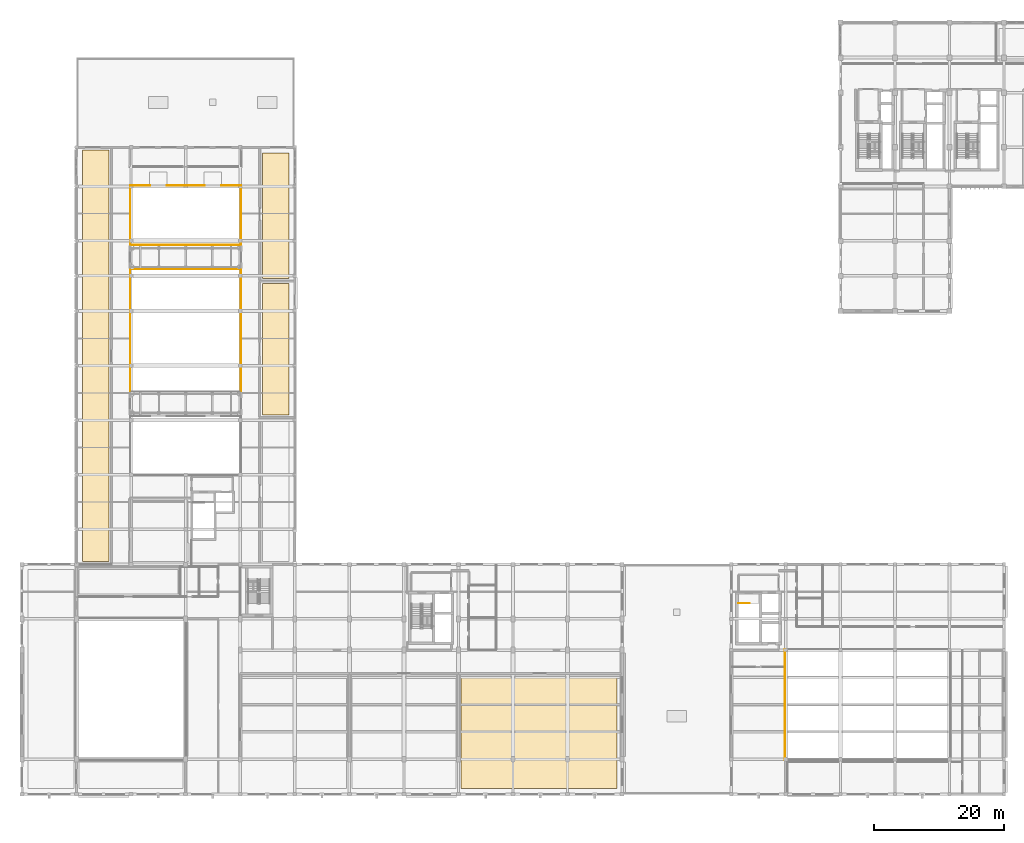
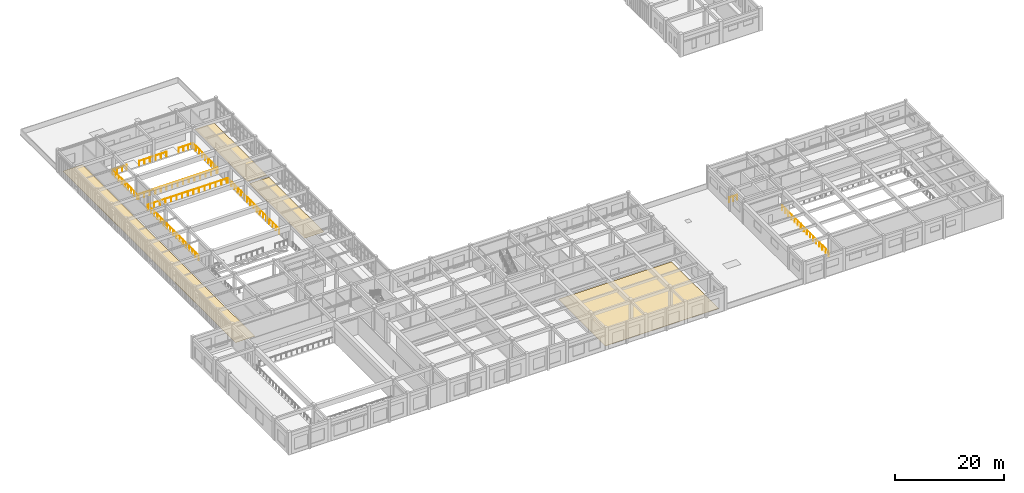
# One storey, part 74 of 77: 11 railings, 4 coverings.
"""IFC4 building model written with IfcOpenShell, lengths in metres."""

from ifc_helpers import new_model, si_unit, direction, frame, origin, origin_2d, place, context, subcontext, project, spatial, polyline, circle, outline, extrude, material, layer, layer_set, type_object, element, save


model = new_model("IFC4")

# Units and contexts
model_context = context("Model", 3, precision=1e-05, world=origin(), true_north=direction((0.0, 1.0)))
body_context = subcontext(model_context, "Body", "Model", "MODEL_VIEW")
ifc_project = project(units=[si_unit("LENGTHUNIT", "METRE"), si_unit("AREAUNIT", "SQUARE_METRE"), si_unit("VOLUMEUNIT", "CUBIC_METRE"), si_unit("PLANEANGLEUNIT", "RADIAN"), si_unit("MASSUNIT", "GRAM", prefix="KILO")], contexts=[model_context])

# Site, building, storey
site_placement = place(None, origin())
site = spatial("IfcSite", under=ifc_project, at=site_placement, CompositionType="ELEMENT")
building_placement = place(site_placement, origin())
building = spatial("IfcBuilding", under=site, at=building_placement, Name="Krzemoval Escarpment Law Courts", CompositionType="ELEMENT")
storey_placement = place(building_placement, frame((0.0, 0.0, 15.300048828125)))
storey = spatial("IfcBuildingStorey", under=building, at=storey_placement, Name="L03", CompositionType="ELEMENT", Elevation=15.300048828125)

# Coverings
ifc_material_1 = material(Name="Honed Silesian Granite Stone Flooring", Category="masonry")
ifc_layer = layer(ifc_material_1, 0.030029296875)
ifc_layer_set = layer_set([ifc_layer], Name="Honed Silesian Granite Stone Flooring")
covering_type = type_object("IfcCoveringType", Name="COV-FLR-STN30", PredefinedType="FLOORING", material=ifc_layer_set)
covering_1_placement = place(storey_placement, origin())
element("IfcCovering", 1, at=covering_1_placement, inside=storey, type_object=covering_type, Name="Stone Floor Finish FLR-L03-36", PredefinedType="FLOORING", context=body_context, shape_type="SweptSolid", body=[
    extrude(outline(polyline([(67.60009765625, 0.89990234375), (67.60009765625, 18.199951171875), (91.60009765625, 18.199951171875), (91.60009765625, 0.89990234375), (67.60009765625, 0.89990234375)])), origin(), (0.0, 0.0, 1.0), 0.030029296875),
])
covering_2_placement = place(storey_placement, origin())
element("IfcCovering", 2, at=covering_2_placement, inside=storey, type_object=covering_type, Name="Stone Floor Finish FLR-L03-37", PredefinedType="FLOORING", context=body_context, shape_type="SweptSolid", body=[
    extrude(outline(polyline([(9.300048828125, 35.800048828125), (9.300048828125, 99.199951171875), (13.39990234375, 99.199951171875), (13.39990234375, 35.800048828125), (9.300048828125, 35.800048828125)])), origin(), (0.0, 0.0, 1.0), 0.030029296875),
])
covering_3_placement = place(storey_placement, origin())
element("IfcCovering", 3, at=covering_3_placement, inside=storey, type_object=covering_type, Name="Stone Floor Finish FLR-L03-40", PredefinedType="FLOORING", context=body_context, shape_type="SweptSolid", body=[
    extrude(outline(polyline([(37.0, 58.39990234375), (37.0, 78.60009765625), (41.10009765625, 78.60009765625), (41.10009765625, 58.39990234375), (37.0, 58.39990234375)])), origin(), (0.0, 0.0, 1.0), 0.030029296875),
])
covering_4_placement = place(storey_placement, origin())
element("IfcCovering", 4, at=covering_4_placement, inside=storey, type_object=covering_type, Name="Stone Floor Finish FLR-L03-41", PredefinedType="FLOORING", context=body_context, shape_type="SweptSolid", body=[
    extrude(outline(polyline([(37.0, 79.39990234375), (37.0, 98.699951171875), (41.10009765625, 98.699951171875), (41.10009765625, 79.39990234375), (37.0, 79.39990234375)])), origin(), (0.0, 0.0, 1.0), 0.030029296875),
])

# Railings
ifc_material_2 = material(Name="Stainless Steel Grade 316L and Laminated Safety Glass Guard", Category="steel")
railing_type_1 = type_object("IfcRailingType", Name="RL-BAL-1100", PredefinedType="BALUSTRADE", material=ifc_material_2)
railing_1_placement = place(storey_placement, frame((16.679931640625, 93.719970703125, 0.0)))
element("IfcRailing", 5, at=railing_1_placement, inside=storey, type_object=railing_type_1, Name="Atrium Void Balustrade VG-L03-081", PredefinedType="BALUSTRADE", context=body_context, shape_type="SweptSolid", body=[
    extrude(circle(Radius=0.02392578125, at=origin_2d()), frame((0.0, 0.0, 1.076171875), z_axis=(1.0, 0.0, 0.0), x_axis=(0.0, 1.0, 0.0)), (0.0, 0.0, 1.0), 3.02001953125),
    extrude(circle(Radius=0.02099609375, at=origin_2d()), origin(), (0.0, 0.0, 1.0), 1.052001953125),
    extrude(circle(Radius=0.02099609375, at=origin_2d()), frame((1.006591796875, 0.0, 0.0)), (0.0, 0.0, 1.0), 1.052001953125),
    extrude(circle(Radius=0.02099609375, at=origin_2d()), frame((2.013427734375, 0.0, 0.0)), (0.0, 0.0, 1.0), 1.052001953125),
    extrude(circle(Radius=0.02099609375, at=origin_2d()), frame((3.02001953125, 0.0, 0.0)), (0.0, 0.0, 1.0), 1.052001953125),
])
railing_2_placement = place(storey_placement, frame((22.300048828125, 93.719970703125, 0.0)))
element("IfcRailing", 6, at=railing_2_placement, inside=storey, type_object=railing_type_1, Name="Atrium Void Balustrade VG-L03-082", PredefinedType="BALUSTRADE", context=body_context, shape_type="SweptSolid", body=[
    extrude(circle(Radius=0.02392578125, at=origin_2d()), frame((0.0, 0.0, 1.076171875), z_axis=(1.0, 0.0, 0.0), x_axis=(0.0, 1.0, 0.0)), (0.0, 0.0, 1.0), 5.800048828125),
    extrude(circle(Radius=0.02099609375, at=origin_2d()), origin(), (0.0, 0.0, 1.0), 1.052001953125),
    extrude(circle(Radius=0.02099609375, at=origin_2d()), frame((1.159912109375, 0.0, 0.0)), (0.0, 0.0, 1.0), 1.052001953125),
    extrude(circle(Radius=0.02099609375, at=origin_2d()), frame((2.320068359375, 0.0, 0.0)), (0.0, 0.0, 1.0), 1.052001953125),
    extrude(circle(Radius=0.02099609375, at=origin_2d()), frame((3.47998046875, 0.0, 0.0)), (0.0, 0.0, 1.0), 1.052001953125),
    extrude(circle(Radius=0.02099609375, at=origin_2d()), frame((4.64013671875, 0.0, 0.0)), (0.0, 0.0, 1.0), 1.052001953125),
    extrude(circle(Radius=0.02099609375, at=origin_2d()), frame((5.800048828125, 0.0, 0.0)), (0.0, 0.0, 1.0), 1.052001953125),
])
railing_3_placement = place(storey_placement, frame((30.699951171875, 93.719970703125, 0.0)))
element("IfcRailing", 7, at=railing_3_placement, inside=storey, type_object=railing_type_1, Name="Atrium Void Balustrade VG-L03-083", PredefinedType="BALUSTRADE", context=body_context, shape_type="SweptSolid", body=[
    extrude(circle(Radius=0.02392578125, at=origin_2d()), frame((0.0, 0.0, 1.076171875), z_axis=(1.0, 0.0, 0.0), x_axis=(0.0, 1.0, 0.0)), (0.0, 0.0, 1.0), 3.02001953125),
    extrude(circle(Radius=0.02099609375, at=origin_2d()), origin(), (0.0, 0.0, 1.0), 1.052001953125),
    extrude(circle(Radius=0.02099609375, at=origin_2d()), frame((1.006591796875, 0.0, 0.0)), (0.0, 0.0, 1.0), 1.052001953125),
    extrude(circle(Radius=0.02099609375, at=origin_2d()), frame((2.013427734375, 0.0, 0.0)), (0.0, 0.0, 1.0), 1.052001953125),
    extrude(circle(Radius=0.02099609375, at=origin_2d()), frame((3.02001953125, 0.0, 0.0)), (0.0, 0.0, 1.0), 1.052001953125),
])
railing_4_placement = place(storey_placement, frame((16.679931640625, 62.080078125, 0.0)))
element("IfcRailing", 8, at=railing_4_placement, inside=storey, type_object=railing_type_1, Name="Atrium Void Balustrade VG-L03-085", PredefinedType="BALUSTRADE", context=body_context, shape_type="SweptSolid", body=[
    extrude(circle(Radius=0.02392578125, at=origin_2d()), frame((0.0, 0.0, 1.076171875), z_axis=(0.0, 1.0, 0.0), x_axis=(-1.0, 0.0, 0.0)), (0.0, 0.0, 1.0), 18.639892578125),
    extrude(circle(Radius=0.02099609375, at=origin_2d()), origin(), (0.0, 0.0, 1.0), 1.052001953125),
    extrude(circle(Radius=0.02099609375, at=origin_2d()), frame((0.0, 1.1650390625, 0.0)), (0.0, 0.0, 1.0), 1.052001953125),
    extrude(circle(Radius=0.02099609375, at=origin_2d()), frame((0.0, 2.330078125, 0.0)), (0.0, 0.0, 1.0), 1.052001953125),
    extrude(circle(Radius=0.02099609375, at=origin_2d()), frame((0.0, 3.494873046875, 0.0)), (0.0, 0.0, 1.0), 1.052001953125),
    extrude(circle(Radius=0.02099609375, at=origin_2d()), frame((0.0, 4.659912109375, 0.0)), (0.0, 0.0, 1.0), 1.052001953125),
    extrude(circle(Radius=0.02099609375, at=origin_2d()), frame((0.0, 5.824951171875, 0.0)), (0.0, 0.0, 1.0), 1.052001953125),
    extrude(circle(Radius=0.02099609375, at=origin_2d()), frame((0.0, 6.989990234375, 0.0)), (0.0, 0.0, 1.0), 1.052001953125),
    extrude(circle(Radius=0.02099609375, at=origin_2d()), frame((0.0, 8.155029296875, 0.0)), (0.0, 0.0, 1.0), 1.052001953125),
    extrude(circle(Radius=0.02099609375, at=origin_2d()), frame((0.0, 9.31982421875, 0.0)), (0.0, 0.0, 1.0), 1.052001953125),
    extrude(circle(Radius=0.02099609375, at=origin_2d()), frame((0.0, 10.48486328125, 0.0)), (0.0, 0.0, 1.0), 1.052001953125),
    extrude(circle(Radius=0.02099609375, at=origin_2d()), frame((0.0, 11.64990234375, 0.0)), (0.0, 0.0, 1.0), 1.052001953125),
    extrude(circle(Radius=0.02099609375, at=origin_2d()), frame((0.0, 12.81494140625, 0.0)), (0.0, 0.0, 1.0), 1.052001953125),
    extrude(circle(Radius=0.02099609375, at=origin_2d()), frame((0.0, 13.97998046875, 0.0)), (0.0, 0.0, 1.0), 1.052001953125),
    extrude(circle(Radius=0.02099609375, at=origin_2d()), frame((0.0, 15.14501953125, 0.0)), (0.0, 0.0, 1.0), 1.052001953125),
    extrude(circle(Radius=0.02099609375, at=origin_2d()), frame((0.0, 16.309814453125, 0.0)), (0.0, 0.0, 1.0), 1.052001953125),
    extrude(circle(Radius=0.02099609375, at=origin_2d()), frame((0.0, 17.474853515625, 0.0)), (0.0, 0.0, 1.0), 1.052001953125),
    extrude(circle(Radius=0.02099609375, at=origin_2d()), frame((0.0, 18.639892578125, 0.0)), (0.0, 0.0, 1.0), 1.052001953125),
])
railing_5_placement = place(storey_placement, frame((16.679931640625, 84.64990234375, 0.0)))
element("IfcRailing", 9, at=railing_5_placement, inside=storey, type_object=railing_type_1, Name="Atrium Void Balustrade VG-L03-086", PredefinedType="BALUSTRADE", context=body_context, shape_type="SweptSolid", body=[
    extrude(circle(Radius=0.02392578125, at=origin_2d()), frame((0.0, 0.0, 1.076171875), z_axis=(0.0, 1.0, 0.0), x_axis=(-1.0, 0.0, 0.0)), (0.0, 0.0, 1.0), 9.070068359375),
    extrude(circle(Radius=0.02099609375, at=origin_2d()), origin(), (0.0, 0.0, 1.0), 1.052001953125),
    extrude(circle(Radius=0.02099609375, at=origin_2d()), frame((0.0, 1.1337890625, 0.0)), (0.0, 0.0, 1.0), 1.052001953125),
    extrude(circle(Radius=0.02099609375, at=origin_2d()), frame((0.0, 2.267578125, 0.0)), (0.0, 0.0, 1.0), 1.052001953125),
    extrude(circle(Radius=0.02099609375, at=origin_2d()), frame((0.0, 3.4013671875, 0.0)), (0.0, 0.0, 1.0), 1.052001953125),
    extrude(circle(Radius=0.02099609375, at=origin_2d()), frame((0.0, 4.53515625, 0.0)), (0.0, 0.0, 1.0), 1.052001953125),
    extrude(circle(Radius=0.02099609375, at=origin_2d()), frame((0.0, 5.668701171875, 0.0)), (0.0, 0.0, 1.0), 1.052001953125),
    extrude(circle(Radius=0.02099609375, at=origin_2d()), frame((0.0, 6.802490234375, 0.0)), (0.0, 0.0, 1.0), 1.052001953125),
    extrude(circle(Radius=0.02099609375, at=origin_2d()), frame((0.0, 7.936279296875, 0.0)), (0.0, 0.0, 1.0), 1.052001953125),
    extrude(circle(Radius=0.02099609375, at=origin_2d()), frame((0.0, 9.070068359375, 0.0)), (0.0, 0.0, 1.0), 1.052001953125),
])
railing_6_placement = place(storey_placement, frame((33.719970703125, 62.080078125, 0.0)))
element("IfcRailing", 10, at=railing_6_placement, inside=storey, type_object=railing_type_1, Name="Atrium Void Balustrade VG-L03-088", PredefinedType="BALUSTRADE", context=body_context, shape_type="SweptSolid", body=[
    extrude(circle(Radius=0.02392578125, at=origin_2d()), frame((0.0, 0.0, 1.076171875), z_axis=(0.0, 1.0, 0.0), x_axis=(-1.0, 0.0, 0.0)), (0.0, 0.0, 1.0), 18.639892578125),
    extrude(circle(Radius=0.02099609375, at=origin_2d()), origin(), (0.0, 0.0, 1.0), 1.052001953125),
    extrude(circle(Radius=0.02099609375, at=origin_2d()), frame((0.0, 1.1650390625, 0.0)), (0.0, 0.0, 1.0), 1.052001953125),
    extrude(circle(Radius=0.02099609375, at=origin_2d()), frame((0.0, 2.330078125, 0.0)), (0.0, 0.0, 1.0), 1.052001953125),
    extrude(circle(Radius=0.02099609375, at=origin_2d()), frame((0.0, 3.494873046875, 0.0)), (0.0, 0.0, 1.0), 1.052001953125),
    extrude(circle(Radius=0.02099609375, at=origin_2d()), frame((0.0, 4.659912109375, 0.0)), (0.0, 0.0, 1.0), 1.052001953125),
    extrude(circle(Radius=0.02099609375, at=origin_2d()), frame((0.0, 5.824951171875, 0.0)), (0.0, 0.0, 1.0), 1.052001953125),
    extrude(circle(Radius=0.02099609375, at=origin_2d()), frame((0.0, 6.989990234375, 0.0)), (0.0, 0.0, 1.0), 1.052001953125),
    extrude(circle(Radius=0.02099609375, at=origin_2d()), frame((0.0, 8.155029296875, 0.0)), (0.0, 0.0, 1.0), 1.052001953125),
    extrude(circle(Radius=0.02099609375, at=origin_2d()), frame((0.0, 9.31982421875, 0.0)), (0.0, 0.0, 1.0), 1.052001953125),
    extrude(circle(Radius=0.02099609375, at=origin_2d()), frame((0.0, 10.48486328125, 0.0)), (0.0, 0.0, 1.0), 1.052001953125),
    extrude(circle(Radius=0.02099609375, at=origin_2d()), frame((0.0, 11.64990234375, 0.0)), (0.0, 0.0, 1.0), 1.052001953125),
    extrude(circle(Radius=0.02099609375, at=origin_2d()), frame((0.0, 12.81494140625, 0.0)), (0.0, 0.0, 1.0), 1.052001953125),
    extrude(circle(Radius=0.02099609375, at=origin_2d()), frame((0.0, 13.97998046875, 0.0)), (0.0, 0.0, 1.0), 1.052001953125),
    extrude(circle(Radius=0.02099609375, at=origin_2d()), frame((0.0, 15.14501953125, 0.0)), (0.0, 0.0, 1.0), 1.052001953125),
    extrude(circle(Radius=0.02099609375, at=origin_2d()), frame((0.0, 16.309814453125, 0.0)), (0.0, 0.0, 1.0), 1.052001953125),
    extrude(circle(Radius=0.02099609375, at=origin_2d()), frame((0.0, 17.474853515625, 0.0)), (0.0, 0.0, 1.0), 1.052001953125),
    extrude(circle(Radius=0.02099609375, at=origin_2d()), frame((0.0, 18.639892578125, 0.0)), (0.0, 0.0, 1.0), 1.052001953125),
])
railing_7_placement = place(storey_placement, frame((33.719970703125, 84.64990234375, 0.0)))
element("IfcRailing", 11, at=railing_7_placement, inside=storey, type_object=railing_type_1, Name="Atrium Void Balustrade VG-L03-089", PredefinedType="BALUSTRADE", context=body_context, shape_type="SweptSolid", body=[
    extrude(circle(Radius=0.02392578125, at=origin_2d()), frame((0.0, 0.0, 1.076171875), z_axis=(0.0, 1.0, 0.0), x_axis=(-1.0, 0.0, 0.0)), (0.0, 0.0, 1.0), 9.070068359375),
    extrude(circle(Radius=0.02099609375, at=origin_2d()), origin(), (0.0, 0.0, 1.0), 1.052001953125),
    extrude(circle(Radius=0.02099609375, at=origin_2d()), frame((0.0, 1.1337890625, 0.0)), (0.0, 0.0, 1.0), 1.052001953125),
    extrude(circle(Radius=0.02099609375, at=origin_2d()), frame((0.0, 2.267578125, 0.0)), (0.0, 0.0, 1.0), 1.052001953125),
    extrude(circle(Radius=0.02099609375, at=origin_2d()), frame((0.0, 3.4013671875, 0.0)), (0.0, 0.0, 1.0), 1.052001953125),
    extrude(circle(Radius=0.02099609375, at=origin_2d()), frame((0.0, 4.53515625, 0.0)), (0.0, 0.0, 1.0), 1.052001953125),
    extrude(circle(Radius=0.02099609375, at=origin_2d()), frame((0.0, 5.668701171875, 0.0)), (0.0, 0.0, 1.0), 1.052001953125),
    extrude(circle(Radius=0.02099609375, at=origin_2d()), frame((0.0, 6.802490234375, 0.0)), (0.0, 0.0, 1.0), 1.052001953125),
    extrude(circle(Radius=0.02099609375, at=origin_2d()), frame((0.0, 7.936279296875, 0.0)), (0.0, 0.0, 1.0), 1.052001953125),
    extrude(circle(Radius=0.02099609375, at=origin_2d()), frame((0.0, 9.070068359375, 0.0)), (0.0, 0.0, 1.0), 1.052001953125),
])
railing_8_placement = place(storey_placement, frame((117.47998046875, 22.320068359375, 0.0)))
element("IfcRailing", 12, at=railing_8_placement, inside=storey, type_object=railing_type_1, Name="Atrium Void Balustrade VG-L03-093", PredefinedType="BALUSTRADE", context=body_context, shape_type="SweptSolid", body=[
    extrude(circle(Radius=0.02392578125, at=origin_2d()), frame((0.0, 0.0, 1.076171875), z_axis=(0.0, -1.0, 0.0), x_axis=(1.0, 0.0, 0.0)), (0.0, 0.0, 1.0), 17.0400390625),
    extrude(circle(Radius=0.02099609375, at=origin_2d()), origin(), (0.0, 0.0, 1.0), 1.052001953125),
    extrude(circle(Radius=0.02099609375, at=origin_2d()), frame((0.0, -1.135986328125, 0.0)), (0.0, 0.0, 1.0), 1.052001953125),
    extrude(circle(Radius=0.02099609375, at=origin_2d()), frame((0.0, -2.27197265625, 0.0)), (0.0, 0.0, 1.0), 1.052001953125),
    extrude(circle(Radius=0.02099609375, at=origin_2d()), frame((0.0, -3.407958984375, 0.0)), (0.0, 0.0, 1.0), 1.052001953125),
    extrude(circle(Radius=0.02099609375, at=origin_2d()), frame((0.0, -4.5439453125, 0.0)), (0.0, 0.0, 1.0), 1.052001953125),
    extrude(circle(Radius=0.02099609375, at=origin_2d()), frame((0.0, -5.679931640625, 0.0)), (0.0, 0.0, 1.0), 1.052001953125),
    extrude(circle(Radius=0.02099609375, at=origin_2d()), frame((0.0, -6.81591796875, 0.0)), (0.0, 0.0, 1.0), 1.052001953125),
    extrude(circle(Radius=0.02099609375, at=origin_2d()), frame((0.0, -7.951904296875, 0.0)), (0.0, 0.0, 1.0), 1.052001953125),
    extrude(circle(Radius=0.02099609375, at=origin_2d()), frame((0.0, -9.088134765625, 0.0)), (0.0, 0.0, 1.0), 1.052001953125),
    extrude(circle(Radius=0.02099609375, at=origin_2d()), frame((0.0, -10.22412109375, 0.0)), (0.0, 0.0, 1.0), 1.052001953125),
    extrude(circle(Radius=0.02099609375, at=origin_2d()), frame((0.0, -11.360107421875, 0.0)), (0.0, 0.0, 1.0), 1.052001953125),
    extrude(circle(Radius=0.02099609375, at=origin_2d()), frame((0.0, -12.49609375, 0.0)), (0.0, 0.0, 1.0), 1.052001953125),
    extrude(circle(Radius=0.02099609375, at=origin_2d()), frame((0.0, -13.632080078125, 0.0)), (0.0, 0.0, 1.0), 1.052001953125),
    extrude(circle(Radius=0.02099609375, at=origin_2d()), frame((0.0, -14.76806640625, 0.0)), (0.0, 0.0, 1.0), 1.052001953125),
    extrude(circle(Radius=0.02099609375, at=origin_2d()), frame((0.0, -15.904052734375, 0.0)), (0.0, 0.0, 1.0), 1.052001953125),
    extrude(circle(Radius=0.02099609375, at=origin_2d()), frame((0.0, -17.0400390625, 0.0)), (0.0, 0.0, 1.0), 1.052001953125),
])
railing_9_placement = place(storey_placement, frame((16.89990234375, 80.820068359375, 0.0)))
element("IfcRailing", 13, at=railing_9_placement, inside=storey, type_object=railing_type_1, Name="Sky-Bridge South Guardrail BG-L03-114", PredefinedType="BALUSTRADE", context=body_context, shape_type="SweptSolid", body=[
    extrude(circle(Radius=0.02392578125, at=origin_2d()), frame((0.0, 0.0, 1.076171875), z_axis=(1.0, 0.0, 0.0), x_axis=(0.0, 1.0, 0.0)), (0.0, 0.0, 1.0), 16.60009765625),
    extrude(circle(Radius=0.02099609375, at=origin_2d()), origin(), (0.0, 0.0, 1.0), 1.052001953125),
    extrude(circle(Radius=0.02099609375, at=origin_2d()), frame((1.185791015625, 0.0, 0.0)), (0.0, 0.0, 1.0), 1.052001953125),
    extrude(circle(Radius=0.02099609375, at=origin_2d()), frame((2.371337890625, 0.0, 0.0)), (0.0, 0.0, 1.0), 1.052001953125),
    extrude(circle(Radius=0.02099609375, at=origin_2d()), frame((3.55712890625, 0.0, 0.0)), (0.0, 0.0, 1.0), 1.052001953125),
    extrude(circle(Radius=0.02099609375, at=origin_2d()), frame((4.742919921875, 0.0, 0.0)), (0.0, 0.0, 1.0), 1.052001953125),
    extrude(circle(Radius=0.02099609375, at=origin_2d()), frame((5.9287109375, 0.0, 0.0)), (0.0, 0.0, 1.0), 1.052001953125),
    extrude(circle(Radius=0.02099609375, at=origin_2d()), frame((7.1142578125, 0.0, 0.0)), (0.0, 0.0, 1.0), 1.052001953125),
    extrude(circle(Radius=0.02099609375, at=origin_2d()), frame((8.300048828125, 0.0, 0.0)), (0.0, 0.0, 1.0), 1.052001953125),
    extrude(circle(Radius=0.02099609375, at=origin_2d()), frame((9.48583984375, 0.0, 0.0)), (0.0, 0.0, 1.0), 1.052001953125),
    extrude(circle(Radius=0.02099609375, at=origin_2d()), frame((10.67138671875, 0.0, 0.0)), (0.0, 0.0, 1.0), 1.052001953125),
    extrude(circle(Radius=0.02099609375, at=origin_2d()), frame((11.857177734375, 0.0, 0.0)), (0.0, 0.0, 1.0), 1.052001953125),
    extrude(circle(Radius=0.02099609375, at=origin_2d()), frame((13.04296875, 0.0, 0.0)), (0.0, 0.0, 1.0), 1.052001953125),
    extrude(circle(Radius=0.02099609375, at=origin_2d()), frame((14.228759765625, 0.0, 0.0)), (0.0, 0.0, 1.0), 1.052001953125),
    extrude(circle(Radius=0.02099609375, at=origin_2d()), frame((15.414306640625, 0.0, 0.0)), (0.0, 0.0, 1.0), 1.052001953125),
    extrude(circle(Radius=0.02099609375, at=origin_2d()), frame((16.60009765625, 0.0, 0.0)), (0.0, 0.0, 1.0), 1.052001953125),
])
railing_10_placement = place(storey_placement, frame((16.89990234375, 84.550048828125, 0.0)))
element("IfcRailing", 14, at=railing_10_placement, inside=storey, type_object=railing_type_1, Name="Sky-Bridge North Guardrail BG-L03-115", PredefinedType="BALUSTRADE", context=body_context, shape_type="SweptSolid", body=[
    extrude(circle(Radius=0.02392578125, at=origin_2d()), frame((0.0, 0.0, 1.076171875), z_axis=(1.0, 0.0, 0.0), x_axis=(0.0, 1.0, 0.0)), (0.0, 0.0, 1.0), 16.60009765625),
    extrude(circle(Radius=0.02099609375, at=origin_2d()), origin(), (0.0, 0.0, 1.0), 1.052001953125),
    extrude(circle(Radius=0.02099609375, at=origin_2d()), frame((1.185791015625, 0.0, 0.0)), (0.0, 0.0, 1.0), 1.052001953125),
    extrude(circle(Radius=0.02099609375, at=origin_2d()), frame((2.371337890625, 0.0, 0.0)), (0.0, 0.0, 1.0), 1.052001953125),
    extrude(circle(Radius=0.02099609375, at=origin_2d()), frame((3.55712890625, 0.0, 0.0)), (0.0, 0.0, 1.0), 1.052001953125),
    extrude(circle(Radius=0.02099609375, at=origin_2d()), frame((4.742919921875, 0.0, 0.0)), (0.0, 0.0, 1.0), 1.052001953125),
    extrude(circle(Radius=0.02099609375, at=origin_2d()), frame((5.9287109375, 0.0, 0.0)), (0.0, 0.0, 1.0), 1.052001953125),
    extrude(circle(Radius=0.02099609375, at=origin_2d()), frame((7.1142578125, 0.0, 0.0)), (0.0, 0.0, 1.0), 1.052001953125),
    extrude(circle(Radius=0.02099609375, at=origin_2d()), frame((8.300048828125, 0.0, 0.0)), (0.0, 0.0, 1.0), 1.052001953125),
    extrude(circle(Radius=0.02099609375, at=origin_2d()), frame((9.48583984375, 0.0, 0.0)), (0.0, 0.0, 1.0), 1.052001953125),
    extrude(circle(Radius=0.02099609375, at=origin_2d()), frame((10.67138671875, 0.0, 0.0)), (0.0, 0.0, 1.0), 1.052001953125),
    extrude(circle(Radius=0.02099609375, at=origin_2d()), frame((11.857177734375, 0.0, 0.0)), (0.0, 0.0, 1.0), 1.052001953125),
    extrude(circle(Radius=0.02099609375, at=origin_2d()), frame((13.04296875, 0.0, 0.0)), (0.0, 0.0, 1.0), 1.052001953125),
    extrude(circle(Radius=0.02099609375, at=origin_2d()), frame((14.228759765625, 0.0, 0.0)), (0.0, 0.0, 1.0), 1.052001953125),
    extrude(circle(Radius=0.02099609375, at=origin_2d()), frame((15.414306640625, 0.0, 0.0)), (0.0, 0.0, 1.0), 1.052001953125),
    extrude(circle(Radius=0.02099609375, at=origin_2d()), frame((16.60009765625, 0.0, 0.0)), (0.0, 0.0, 1.0), 1.052001953125),
])
ifc_material_3 = material(Name="Galvanised Steel S355", Category="steel")
railing_type_2 = type_object("IfcRailingType", Name="RL-GRD-1100", PredefinedType="GUARDRAIL", material=ifc_material_3)
railing_11_placement = place(storey_placement, frame((110.300048828125, 29.39990234375, 0.0)))
element("IfcRailing", 15, at=railing_11_placement, inside=storey, type_object=railing_type_2, Name="L03 ST6 top well guard 1", PredefinedType="GUARDRAIL", context=body_context, shape_type="SweptSolid", body=[
    extrude(circle(Radius=0.02392578125, at=origin_2d()), frame((0.0, 0.0, 1.076171875), z_axis=(1.0, 0.0, 0.0), x_axis=(0.0, 1.0, 0.0)), (0.0, 0.0, 1.0), 1.699951171875),
    extrude(circle(Radius=0.02099609375, at=origin_2d()), origin(), (0.0, 0.0, 1.0), 1.052001953125),
    extrude(circle(Radius=0.02099609375, at=origin_2d()), frame((0.85009765625, 0.0, 0.0)), (0.0, 0.0, 1.0), 1.052001953125),
    extrude(circle(Radius=0.02099609375, at=origin_2d()), frame((1.699951171875, 0.0, 0.0)), (0.0, 0.0, 1.0), 1.052001953125),
])

save(model, "model.ifc")
